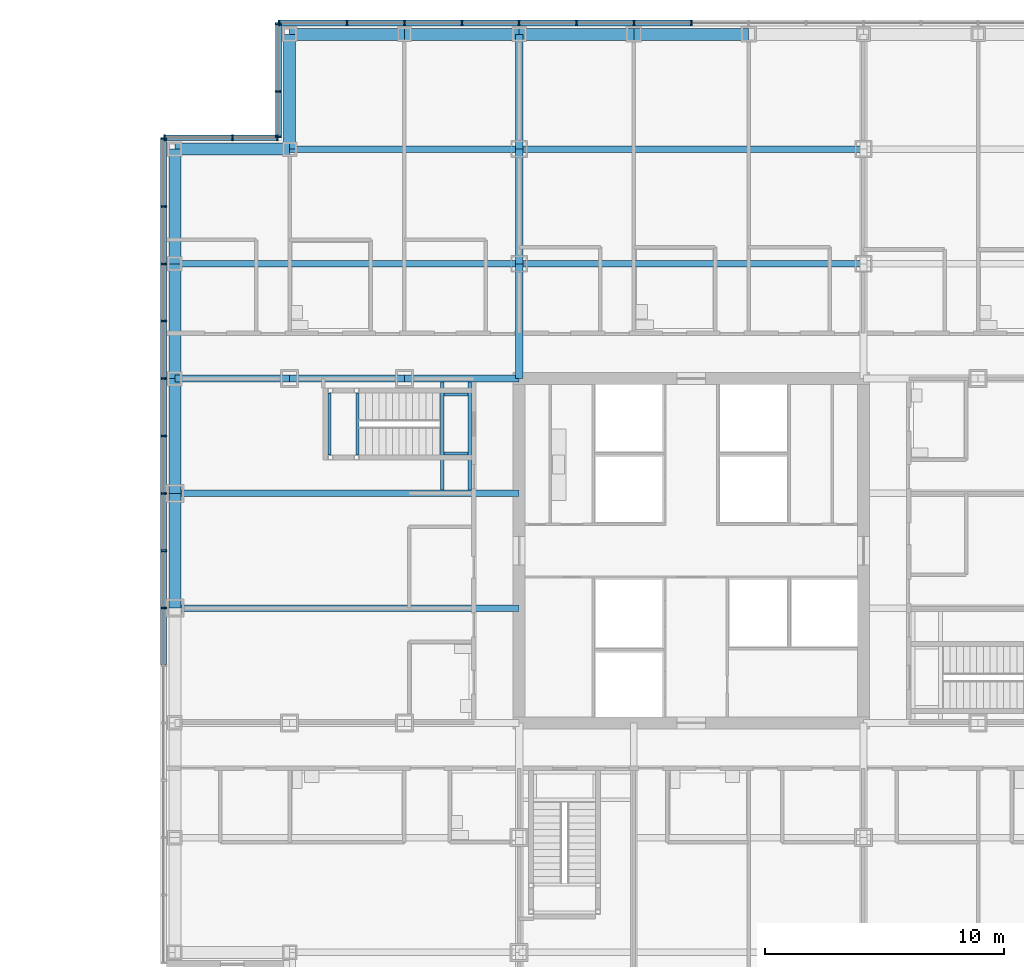
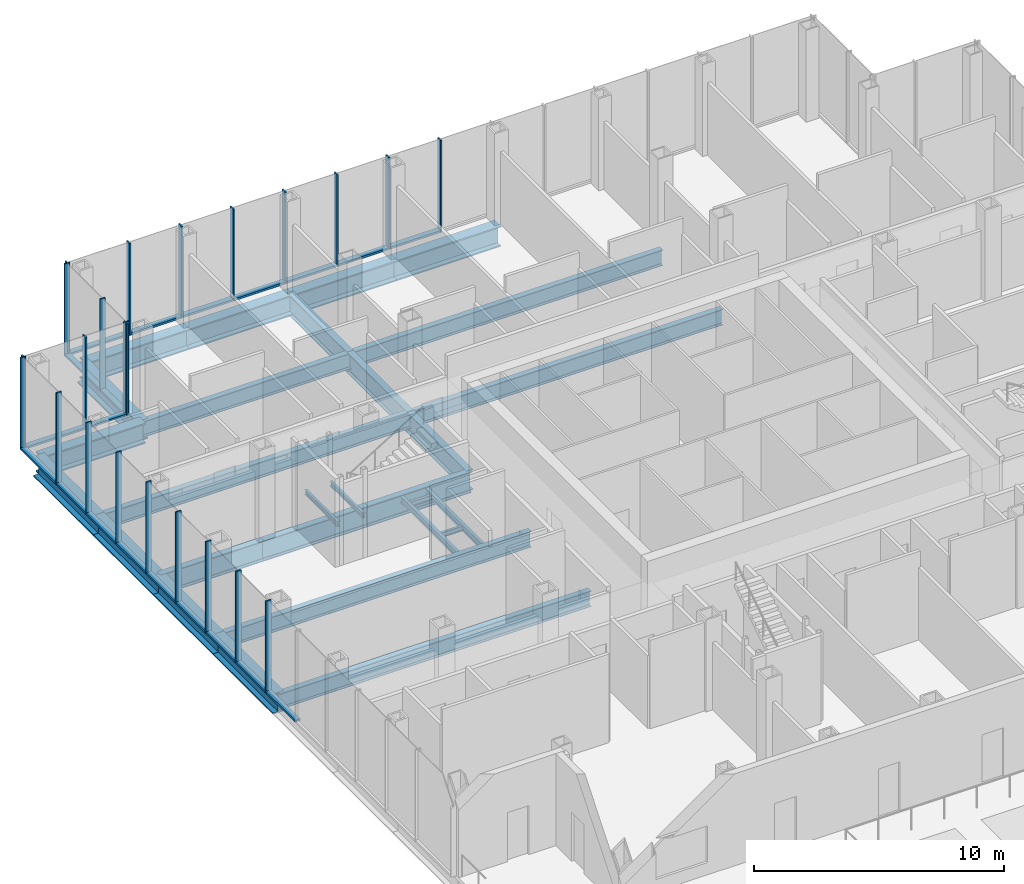
# One storey, part 12 of 24: 43 members, 28 beams, 4 elements without a shape of their own.
"""IFC4 building model written with IfcOpenShell, lengths in metres."""

from ifc_helpers import new_model, si_unit, direction, frame, origin, origin_2d, place, context, subcontext, project, spatial, rectangle, i_section, extrude, material, material_profile, profile_set, type_object, element, aggregate, save


model = new_model("IFC4")

# Units and contexts
model_context = context("Model", 3, precision=1e-05, world=origin(), true_north=direction((0.0, 1.0)))
body_context = subcontext(model_context, "Body", "Model", "MODEL_VIEW")
ifc_project = project(units=[si_unit("LENGTHUNIT", "METRE"), si_unit("AREAUNIT", "SQUARE_METRE"), si_unit("VOLUMEUNIT", "CUBIC_METRE"), si_unit("PLANEANGLEUNIT", "RADIAN"), si_unit("MASSUNIT", "GRAM", prefix="KILO")], contexts=[model_context])

# Site, building, storey
site_placement = place(None, origin())
site = spatial("IfcSite", under=ifc_project, at=site_placement, CompositionType="ELEMENT")
building_placement = place(site_placement, origin())
building = spatial("IfcBuilding", under=site, at=building_placement, Name="Kvirike Care Tower", CompositionType="ELEMENT")
storey_placement = place(building_placement, frame((0.0, 0.0, 22.5)))
storey = spatial("IfcBuildingStorey", under=building, at=storey_placement, Name="L05", CompositionType="ELEMENT", Elevation=22.5)

# Curtain wall, members
ifc_material_1 = material(Name="Anodised aluminium stick system", Category="aluminium")
curtain_wall_type = type_object("IfcCurtainWallType", Name="CW-P PODIUM STICK CURTAIN WALL", PredefinedType="NOTDEFINED", material=ifc_material_1)
curtain_wall_1_placement = place(storey_placement, origin())
curtain_wall_1 = element("IfcCurtainWall", 1, at=curtain_wall_1_placement, inside=storey, type_object=curtain_wall_type, Name="Curtain wall L05 face 1", PredefinedType="NOTDEFINED")
ifc_material_2 = material(Name="Bronze anodised aluminium mullion", Category="aluminium")
ifc_material_profile_1 = material_profile(ifc_material_2, rectangle(XDim=0.06494140625, YDim=0.25, at=origin_2d()), Name="CW-P MULLION 65x250")
ifc_profile_set_1 = profile_set([ifc_material_profile_1], Name="Bronze anodised aluminium mullion")
member_type_1 = type_object("IfcMemberType", Name="CW-P MULLION 65x250", PredefinedType="MULLION", material=ifc_profile_set_1)
member_1_placement = place(storey_placement, frame((-0.47509765625, 53.242431640625, 0.0), z_axis=(0.0, 0.0, 1.0), x_axis=(0.0, -1.0, 0.0)))
member_1 = element("IfcMember", 2, at=member_1_placement, type_object=member_type_1, Name="CW-P mullion L05 face 1.1", PredefinedType="MULLION", context=body_context, shape_type="SweptSolid", body=[
    extrude(rectangle(XDim=0.06494140625, YDim=0.25, at=origin_2d()), origin(), (0.0, 0.0, 1.0), 4.5),
])
member_2_placement = place(storey_placement, frame((-0.47509765625, 50.39990234375, 0.0), z_axis=(0.0, 0.0, 1.0), x_axis=(0.0, -1.0, 0.0)))
member_2 = element("IfcMember", 3, at=member_2_placement, type_object=member_type_1, Name="CW-P mullion L05 face 1.2", PredefinedType="MULLION", context=body_context, shape_type="SweptSolid", body=[
    extrude(rectangle(XDim=0.06494140625, YDim=0.25, at=origin_2d()), origin(), (0.0, 0.0, 1.0), 4.5),
])
member_3_placement = place(storey_placement, frame((-0.47509765625, 48.0, 0.0), z_axis=(0.0, 0.0, 1.0), x_axis=(0.0, -1.0, 0.0)))
member_3 = element("IfcMember", 4, at=member_3_placement, type_object=member_type_1, Name="CW-P mullion L05 face 1.3", PredefinedType="MULLION", context=body_context, shape_type="SweptSolid", body=[
    extrude(rectangle(XDim=0.06494140625, YDim=0.25, at=origin_2d()), origin(), (0.0, 0.0, 1.0), 4.5),
])
member_4_placement = place(storey_placement, frame((-0.47509765625, 45.60009765625, 0.0), z_axis=(0.0, 0.0, 1.0), x_axis=(0.0, -1.0, 0.0)))
member_4 = element("IfcMember", 5, at=member_4_placement, type_object=member_type_1, Name="CW-P mullion L05 face 1.4", PredefinedType="MULLION", context=body_context, shape_type="SweptSolid", body=[
    extrude(rectangle(XDim=0.06494140625, YDim=0.25, at=origin_2d()), origin(), (0.0, 0.0, 1.0), 4.5),
])
member_5_placement = place(storey_placement, frame((-0.47509765625, 43.199951171875, 0.0), z_axis=(0.0, 0.0, 1.0), x_axis=(0.0, -1.0, 0.0)))
member_5 = element("IfcMember", 6, at=member_5_placement, type_object=member_type_1, Name="CW-P mullion L05 face 1.5", PredefinedType="MULLION", context=body_context, shape_type="SweptSolid", body=[
    extrude(rectangle(XDim=0.06494140625, YDim=0.25, at=origin_2d()), origin(), (0.0, 0.0, 1.0), 4.5),
])
member_6_placement = place(storey_placement, frame((-0.47509765625, 40.800048828125, 0.0), z_axis=(0.0, 0.0, 1.0), x_axis=(0.0, -1.0, 0.0)))
member_6 = element("IfcMember", 7, at=member_6_placement, type_object=member_type_1, Name="CW-P mullion L05 face 1.6", PredefinedType="MULLION", context=body_context, shape_type="SweptSolid", body=[
    extrude(rectangle(XDim=0.06494140625, YDim=0.25, at=origin_2d()), origin(), (0.0, 0.0, 1.0), 4.5),
])
member_7_placement = place(storey_placement, frame((-0.47509765625, 38.39990234375, 0.0), z_axis=(0.0, 0.0, 1.0), x_axis=(0.0, -1.0, 0.0)))
member_7 = element("IfcMember", 8, at=member_7_placement, type_object=member_type_1, Name="CW-P mullion L05 face 1.7", PredefinedType="MULLION", context=body_context, shape_type="SweptSolid", body=[
    extrude(rectangle(XDim=0.06494140625, YDim=0.25, at=origin_2d()), origin(), (0.0, 0.0, 1.0), 4.5),
])
member_8_placement = place(storey_placement, frame((-0.47509765625, 36.0, 0.0), z_axis=(0.0, 0.0, 1.0), x_axis=(0.0, -1.0, 0.0)))
member_8 = element("IfcMember", 9, at=member_8_placement, type_object=member_type_1, Name="CW-P mullion L05 face 1.8", PredefinedType="MULLION", context=body_context, shape_type="SweptSolid", body=[
    extrude(rectangle(XDim=0.06494140625, YDim=0.25, at=origin_2d()), origin(), (0.0, 0.0, 1.0), 4.5),
])
member_9_placement = place(storey_placement, frame((-0.47509765625, 33.60009765625, 0.0), z_axis=(0.0, 0.0, 1.0), x_axis=(0.0, -1.0, 0.0)))
member_9 = element("IfcMember", 10, at=member_9_placement, type_object=member_type_1, Name="CW-P mullion L05 face 1.9", PredefinedType="MULLION", context=body_context, shape_type="SweptSolid", body=[
    extrude(rectangle(XDim=0.06494140625, YDim=0.25, at=origin_2d()), origin(), (0.0, 0.0, 1.0), 4.5),
])

curtain_wall_2_placement = place(storey_placement, origin())
curtain_wall_2 = element("IfcCurtainWall", 11, at=curtain_wall_2_placement, inside=storey, type_object=curtain_wall_type, Name="Curtain wall L05 face 10", PredefinedType="NOTDEFINED")
member_10_placement = place(storey_placement, frame((21.60009765625, 58.074951171875, 0.0), z_axis=(0.0, 0.0, 1.0), x_axis=(-1.0, 0.0, 0.0)))
member_10 = element("IfcMember", 12, at=member_10_placement, type_object=member_type_1, Name="CW-P mullion L05 face 10.8", PredefinedType="MULLION", context=body_context, shape_type="SweptSolid", body=[
    extrude(rectangle(XDim=0.06494140625, YDim=0.25, at=origin_2d()), origin(), (0.0, 0.0, 1.0), 4.5),
])
member_11_placement = place(storey_placement, frame((19.199951171875, 58.074951171875, 0.0), z_axis=(0.0, 0.0, 1.0), x_axis=(-1.0, 0.0, 0.0)))
member_11 = element("IfcMember", 13, at=member_11_placement, type_object=member_type_1, Name="CW-P mullion L05 face 10.9", PredefinedType="MULLION", context=body_context, shape_type="SweptSolid", body=[
    extrude(rectangle(XDim=0.06494140625, YDim=0.25, at=origin_2d()), origin(), (0.0, 0.0, 1.0), 4.5),
])
member_12_placement = place(storey_placement, frame((16.800048828125, 58.074951171875, 0.0), z_axis=(0.0, 0.0, 1.0), x_axis=(-1.0, 0.0, 0.0)))
member_12 = element("IfcMember", 14, at=member_12_placement, type_object=member_type_1, Name="CW-P mullion L05 face 10.10", PredefinedType="MULLION", context=body_context, shape_type="SweptSolid", body=[
    extrude(rectangle(XDim=0.06494140625, YDim=0.25, at=origin_2d()), origin(), (0.0, 0.0, 1.0), 4.5),
])
member_13_placement = place(storey_placement, frame((14.39990234375, 58.074951171875, 0.0), z_axis=(0.0, 0.0, 1.0), x_axis=(-1.0, 0.0, 0.0)))
member_13 = element("IfcMember", 15, at=member_13_placement, type_object=member_type_1, Name="CW-P mullion L05 face 10.11", PredefinedType="MULLION", context=body_context, shape_type="SweptSolid", body=[
    extrude(rectangle(XDim=0.06494140625, YDim=0.25, at=origin_2d()), origin(), (0.0, 0.0, 1.0), 4.5),
])
member_14_placement = place(storey_placement, frame((12.0, 58.074951171875, 0.0), z_axis=(0.0, 0.0, 1.0), x_axis=(-1.0, 0.0, 0.0)))
member_14 = element("IfcMember", 16, at=member_14_placement, type_object=member_type_1, Name="CW-P mullion L05 face 10.12", PredefinedType="MULLION", context=body_context, shape_type="SweptSolid", body=[
    extrude(rectangle(XDim=0.06494140625, YDim=0.25, at=origin_2d()), origin(), (0.0, 0.0, 1.0), 4.5),
])
member_15_placement = place(storey_placement, frame((9.60009765625, 58.074951171875, 0.0), z_axis=(0.0, 0.0, 1.0), x_axis=(-1.0, 0.0, 0.0)))
member_15 = element("IfcMember", 17, at=member_15_placement, type_object=member_type_1, Name="CW-P mullion L05 face 10.13", PredefinedType="MULLION", context=body_context, shape_type="SweptSolid", body=[
    extrude(rectangle(XDim=0.06494140625, YDim=0.25, at=origin_2d()), origin(), (0.0, 0.0, 1.0), 4.5),
])
member_16_placement = place(storey_placement, frame((7.199951171875, 58.074951171875, 0.0), z_axis=(0.0, 0.0, 1.0), x_axis=(-1.0, 0.0, 0.0)))
member_16 = element("IfcMember", 18, at=member_16_placement, type_object=member_type_1, Name="CW-P mullion L05 face 10.14", PredefinedType="MULLION", context=body_context, shape_type="SweptSolid", body=[
    extrude(rectangle(XDim=0.06494140625, YDim=0.25, at=origin_2d()), origin(), (0.0, 0.0, 1.0), 4.5),
])
member_17_placement = place(storey_placement, frame((4.357421875, 58.074951171875, 0.0), z_axis=(0.0, 0.0, 1.0), x_axis=(-1.0, 0.0, 0.0)))
member_17 = element("IfcMember", 19, at=member_17_placement, type_object=member_type_1, Name="CW-P mullion L05 face 10.15", PredefinedType="MULLION", context=body_context, shape_type="SweptSolid", body=[
    extrude(rectangle(XDim=0.06494140625, YDim=0.25, at=origin_2d()), origin(), (0.0, 0.0, 1.0), 4.5),
])

curtain_wall_3_placement = place(storey_placement, origin())
curtain_wall_3 = element("IfcCurtainWall", 20, at=curtain_wall_3_placement, inside=storey, type_object=curtain_wall_type, Name="Curtain wall L05 face 11", PredefinedType="NOTDEFINED")
member_18_placement = place(storey_placement, frame((4.324951171875, 58.04248046875, 0.0), z_axis=(0.0, 0.0, 1.0), x_axis=(0.0, -1.0, 0.0)))
member_18 = element("IfcMember", 21, at=member_18_placement, type_object=member_type_1, Name="CW-P mullion L05 face 11.1", PredefinedType="MULLION", context=body_context, shape_type="SweptSolid", body=[
    extrude(rectangle(XDim=0.06494140625, YDim=0.25, at=origin_2d()), origin(), (0.0, 0.0, 1.0), 4.5),
])
member_19_placement = place(storey_placement, frame((4.324951171875, 55.199951171875, 0.0), z_axis=(0.0, 0.0, 1.0), x_axis=(0.0, -1.0, 0.0)))
member_19 = element("IfcMember", 22, at=member_19_placement, type_object=member_type_1, Name="CW-P mullion L05 face 11.2", PredefinedType="MULLION", context=body_context, shape_type="SweptSolid", body=[
    extrude(rectangle(XDim=0.06494140625, YDim=0.25, at=origin_2d()), origin(), (0.0, 0.0, 1.0), 4.5),
])
member_20_placement = place(storey_placement, frame((4.324951171875, 53.3076171875, 0.0), z_axis=(0.0, 0.0, 1.0), x_axis=(0.0, -1.0, 0.0)))
member_20 = element("IfcMember", 23, at=member_20_placement, type_object=member_type_1, Name="CW-P mullion L05 face 11.3", PredefinedType="MULLION", context=body_context, shape_type="SweptSolid", body=[
    extrude(rectangle(XDim=0.06494140625, YDim=0.25, at=origin_2d()), origin(), (0.0, 0.0, 1.0), 4.5),
])

curtain_wall_4_placement = place(storey_placement, origin())
curtain_wall_4 = element("IfcCurtainWall", 24, at=curtain_wall_4_placement, inside=storey, type_object=curtain_wall_type, Name="Curtain wall L05 face 12", PredefinedType="NOTDEFINED")
member_21_placement = place(storey_placement, frame((4.29248046875, 53.27490234375, 0.0), z_axis=(0.0, 0.0, 1.0), x_axis=(-1.0, 0.0, 0.0)))
member_21 = element("IfcMember", 25, at=member_21_placement, type_object=member_type_1, Name="CW-P mullion L05 face 12.1", PredefinedType="MULLION", context=body_context, shape_type="SweptSolid", body=[
    extrude(rectangle(XDim=0.06494140625, YDim=0.25, at=origin_2d()), origin(), (0.0, 0.0, 1.0), 4.5),
])
member_22_placement = place(storey_placement, frame((2.39990234375, 53.27490234375, 0.0), z_axis=(0.0, 0.0, 1.0), x_axis=(-1.0, 0.0, 0.0)))
member_22 = element("IfcMember", 26, at=member_22_placement, type_object=member_type_1, Name="CW-P mullion L05 face 12.2", PredefinedType="MULLION", context=body_context, shape_type="SweptSolid", body=[
    extrude(rectangle(XDim=0.06494140625, YDim=0.25, at=origin_2d()), origin(), (0.0, 0.0, 1.0), 4.5),
])
member_23_placement = place(storey_placement, frame((-0.4423828125, 53.27490234375, 0.0), z_axis=(0.0, 0.0, 1.0), x_axis=(-1.0, 0.0, 0.0)))
member_23 = element("IfcMember", 27, at=member_23_placement, type_object=member_type_1, Name="CW-P mullion L05 face 12.3", PredefinedType="MULLION", context=body_context, shape_type="SweptSolid", body=[
    extrude(rectangle(XDim=0.06494140625, YDim=0.25, at=origin_2d()), origin(), (0.0, 0.0, 1.0), 4.5),
])

# Member
ifc_material_3 = material(Name="Bronze anodised aluminium transom", Category="aluminium")
ifc_material_profile_2 = material_profile(ifc_material_3, rectangle(XDim=0.25, YDim=0.10009765625, at=origin_2d()), Name="CW-P TRANSOM 250x100")
ifc_profile_set_2 = profile_set([ifc_material_profile_2], Name="Bronze anodised aluminium transom")
member_type_2 = type_object("IfcMemberType", Name="CW-P TRANSOM 250x100", PredefinedType="USERDEFINED", material=ifc_profile_set_2)
member_24_placement = place(storey_placement, frame((-0.47509765625, 53.2099609375, 0.050048828125), z_axis=(0.0, -1.0, 0.0), x_axis=(1.0, 0.0, 0.0)))
member_24 = element("IfcMember", 28, at=member_24_placement, type_object=member_type_2, Name="CW-P sill transom L05 face 1.1", ObjectType="TRANSOM", PredefinedType="USERDEFINED", context=body_context, shape_type="SweptSolid", body=[
    extrude(rectangle(XDim=0.25, YDim=0.10009765625, at=origin_2d()), origin(), (0.0, 0.0, 1.0), 2.77734375),
])

member_25_placement = place(storey_placement, frame((-0.47509765625, 50.367431640625, 0.050048828125), z_axis=(0.0, -1.0, 0.0), x_axis=(1.0, 0.0, 0.0)))
member_25 = element("IfcMember", 29, at=member_25_placement, type_object=member_type_2, Name="CW-P sill transom L05 face 1.2", ObjectType="TRANSOM", PredefinedType="USERDEFINED", context=body_context, shape_type="SweptSolid", body=[
    extrude(rectangle(XDim=0.25, YDim=0.10009765625, at=origin_2d()), origin(), (0.0, 0.0, 1.0), 2.3349609375),
])

member_26_placement = place(storey_placement, frame((-0.47509765625, 47.967529296875, 0.050048828125), z_axis=(0.0, -1.0, 0.0), x_axis=(1.0, 0.0, 0.0)))
member_26 = element("IfcMember", 30, at=member_26_placement, type_object=member_type_2, Name="CW-P sill transom L05 face 1.3", ObjectType="TRANSOM", PredefinedType="USERDEFINED", context=body_context, shape_type="SweptSolid", body=[
    extrude(rectangle(XDim=0.25, YDim=0.10009765625, at=origin_2d()), origin(), (0.0, 0.0, 1.0), 2.3349609375),
])

member_27_placement = place(storey_placement, frame((-0.47509765625, 45.5673828125, 0.050048828125), z_axis=(0.0, -1.0, 0.0), x_axis=(1.0, 0.0, 0.0)))
member_27 = element("IfcMember", 31, at=member_27_placement, type_object=member_type_2, Name="CW-P sill transom L05 face 1.4", ObjectType="TRANSOM", PredefinedType="USERDEFINED", context=body_context, shape_type="SweptSolid", body=[
    extrude(rectangle(XDim=0.25, YDim=0.10009765625, at=origin_2d()), origin(), (0.0, 0.0, 1.0), 2.3349609375),
])

member_28_placement = place(storey_placement, frame((-0.47509765625, 43.16748046875, 0.050048828125), z_axis=(0.0, -1.0, 0.0), x_axis=(1.0, 0.0, 0.0)))
member_28 = element("IfcMember", 32, at=member_28_placement, type_object=member_type_2, Name="CW-P sill transom L05 face 1.5", ObjectType="TRANSOM", PredefinedType="USERDEFINED", context=body_context, shape_type="SweptSolid", body=[
    extrude(rectangle(XDim=0.25, YDim=0.10009765625, at=origin_2d()), origin(), (0.0, 0.0, 1.0), 2.3349609375),
])

member_29_placement = place(storey_placement, frame((-0.47509765625, 40.767578125, 0.050048828125), z_axis=(0.0, -1.0, 0.0), x_axis=(1.0, 0.0, 0.0)))
member_29 = element("IfcMember", 33, at=member_29_placement, type_object=member_type_2, Name="CW-P sill transom L05 face 1.6", ObjectType="TRANSOM", PredefinedType="USERDEFINED", context=body_context, shape_type="SweptSolid", body=[
    extrude(rectangle(XDim=0.25, YDim=0.10009765625, at=origin_2d()), origin(), (0.0, 0.0, 1.0), 2.3349609375),
])

member_30_placement = place(storey_placement, frame((-0.47509765625, 38.367431640625, 0.050048828125), z_axis=(0.0, -1.0, 0.0), x_axis=(1.0, 0.0, 0.0)))
member_30 = element("IfcMember", 34, at=member_30_placement, type_object=member_type_2, Name="CW-P sill transom L05 face 1.7", ObjectType="TRANSOM", PredefinedType="USERDEFINED", context=body_context, shape_type="SweptSolid", body=[
    extrude(rectangle(XDim=0.25, YDim=0.10009765625, at=origin_2d()), origin(), (0.0, 0.0, 1.0), 2.3349609375),
])

member_31_placement = place(storey_placement, frame((-0.47509765625, 35.967529296875, 0.050048828125), z_axis=(0.0, -1.0, 0.0), x_axis=(1.0, 0.0, 0.0)))
member_31 = element("IfcMember", 35, at=member_31_placement, type_object=member_type_2, Name="CW-P sill transom L05 face 1.8", ObjectType="TRANSOM", PredefinedType="USERDEFINED", context=body_context, shape_type="SweptSolid", body=[
    extrude(rectangle(XDim=0.25, YDim=0.10009765625, at=origin_2d()), origin(), (0.0, 0.0, 1.0), 2.3349609375),
])

member_32_placement = place(storey_placement, frame((-0.47509765625, 33.5673828125, 0.050048828125), z_axis=(0.0, -1.0, 0.0), x_axis=(1.0, 0.0, 0.0)))
member_32 = element("IfcMember", 36, at=member_32_placement, type_object=member_type_2, Name="CW-P sill transom L05 face 1.9", ObjectType="TRANSOM", PredefinedType="USERDEFINED", context=body_context, shape_type="SweptSolid", body=[
    extrude(rectangle(XDim=0.25, YDim=0.10009765625, at=origin_2d()), origin(), (0.0, 0.0, 1.0), 2.3349609375),
])

aggregate(curtain_wall_1, [member_1, member_2, member_3, member_4, member_5, member_6, member_7, member_8, member_9, member_24, member_25, member_26, member_27, member_28, member_29, member_30, member_31, member_32])

member_33_placement = place(storey_placement, frame((21.5673828125, 58.074951171875, 0.050048828125), z_axis=(-1.0, 0.0, 0.0), x_axis=(0.0, -1.0, 0.0)))
member_33 = element("IfcMember", 37, at=member_33_placement, type_object=member_type_2, Name="CW-P sill transom L05 face 10.8", ObjectType="TRANSOM", PredefinedType="USERDEFINED", context=body_context, shape_type="SweptSolid", body=[
    extrude(rectangle(XDim=0.25, YDim=0.10009765625, at=origin_2d()), origin(), (0.0, 0.0, 1.0), 2.3349609375),
])

member_34_placement = place(storey_placement, frame((19.16748046875, 58.074951171875, 0.050048828125), z_axis=(-1.0, 0.0, 0.0), x_axis=(0.0, -1.0, 0.0)))
member_34 = element("IfcMember", 38, at=member_34_placement, type_object=member_type_2, Name="CW-P sill transom L05 face 10.9", ObjectType="TRANSOM", PredefinedType="USERDEFINED", context=body_context, shape_type="SweptSolid", body=[
    extrude(rectangle(XDim=0.25, YDim=0.10009765625, at=origin_2d()), origin(), (0.0, 0.0, 1.0), 2.3349609375),
])

member_35_placement = place(storey_placement, frame((16.767578125, 58.074951171875, 0.050048828125), z_axis=(-1.0, 0.0, 0.0), x_axis=(0.0, -1.0, 0.0)))
member_35 = element("IfcMember", 39, at=member_35_placement, type_object=member_type_2, Name="CW-P sill transom L05 face 10.10", ObjectType="TRANSOM", PredefinedType="USERDEFINED", context=body_context, shape_type="SweptSolid", body=[
    extrude(rectangle(XDim=0.25, YDim=0.10009765625, at=origin_2d()), origin(), (0.0, 0.0, 1.0), 2.3349609375),
])

member_36_placement = place(storey_placement, frame((14.367431640625, 58.074951171875, 0.050048828125), z_axis=(-1.0, 0.0, 0.0), x_axis=(0.0, -1.0, 0.0)))
member_36 = element("IfcMember", 40, at=member_36_placement, type_object=member_type_2, Name="CW-P sill transom L05 face 10.11", ObjectType="TRANSOM", PredefinedType="USERDEFINED", context=body_context, shape_type="SweptSolid", body=[
    extrude(rectangle(XDim=0.25, YDim=0.10009765625, at=origin_2d()), origin(), (0.0, 0.0, 1.0), 2.3349609375),
])

member_37_placement = place(storey_placement, frame((11.967529296875, 58.074951171875, 0.050048828125), z_axis=(-1.0, 0.0, 0.0), x_axis=(0.0, -1.0, 0.0)))
member_37 = element("IfcMember", 41, at=member_37_placement, type_object=member_type_2, Name="CW-P sill transom L05 face 10.12", ObjectType="TRANSOM", PredefinedType="USERDEFINED", context=body_context, shape_type="SweptSolid", body=[
    extrude(rectangle(XDim=0.25, YDim=0.10009765625, at=origin_2d()), origin(), (0.0, 0.0, 1.0), 2.3349609375),
])

member_38_placement = place(storey_placement, frame((9.5673828125, 58.074951171875, 0.050048828125), z_axis=(-1.0, 0.0, 0.0), x_axis=(0.0, -1.0, 0.0)))
member_38 = element("IfcMember", 42, at=member_38_placement, type_object=member_type_2, Name="CW-P sill transom L05 face 10.13", ObjectType="TRANSOM", PredefinedType="USERDEFINED", context=body_context, shape_type="SweptSolid", body=[
    extrude(rectangle(XDim=0.25, YDim=0.10009765625, at=origin_2d()), origin(), (0.0, 0.0, 1.0), 2.3349609375),
])

member_39_placement = place(storey_placement, frame((7.16748046875, 58.074951171875, 0.050048828125), z_axis=(-1.0, 0.0, 0.0), x_axis=(0.0, -1.0, 0.0)))
member_39 = element("IfcMember", 43, at=member_39_placement, type_object=member_type_2, Name="CW-P sill transom L05 face 10.14", ObjectType="TRANSOM", PredefinedType="USERDEFINED", context=body_context, shape_type="SweptSolid", body=[
    extrude(rectangle(XDim=0.25, YDim=0.10009765625, at=origin_2d()), origin(), (0.0, 0.0, 1.0), 2.777587890625),
])

aggregate(curtain_wall_2, [member_10, member_11, member_12, member_13, member_14, member_15, member_16, member_17, member_33, member_34, member_35, member_36, member_37, member_38, member_39])

member_40_placement = place(storey_placement, frame((4.324951171875, 58.010009765625, 0.050048828125), z_axis=(0.0, -1.0, 0.0), x_axis=(1.0, 0.0, 0.0)))
member_40 = element("IfcMember", 44, at=member_40_placement, type_object=member_type_2, Name="CW-P sill transom L05 face 11.1", ObjectType="TRANSOM", PredefinedType="USERDEFINED", context=body_context, shape_type="SweptSolid", body=[
    extrude(rectangle(XDim=0.25, YDim=0.10009765625, at=origin_2d()), origin(), (0.0, 0.0, 1.0), 2.777587890625),
])

member_41_placement = place(storey_placement, frame((4.324951171875, 55.16748046875, 0.050048828125), z_axis=(0.0, -1.0, 0.0), x_axis=(1.0, 0.0, 0.0)))
member_41 = element("IfcMember", 45, at=member_41_placement, type_object=member_type_2, Name="CW-P sill transom L05 face 11.2", ObjectType="TRANSOM", PredefinedType="USERDEFINED", context=body_context, shape_type="SweptSolid", body=[
    extrude(rectangle(XDim=0.25, YDim=0.10009765625, at=origin_2d()), origin(), (0.0, 0.0, 1.0), 1.827392578125),
])

aggregate(curtain_wall_3, [member_18, member_19, member_20, member_40, member_41])

member_42_placement = place(storey_placement, frame((4.260009765625, 53.27490234375, 0.050048828125), z_axis=(-1.0, 0.0, 0.0), x_axis=(0.0, -1.0, 0.0)))
member_42 = element("IfcMember", 46, at=member_42_placement, type_object=member_type_2, Name="CW-P sill transom L05 face 12.1", ObjectType="TRANSOM", PredefinedType="USERDEFINED", context=body_context, shape_type="SweptSolid", body=[
    extrude(rectangle(XDim=0.25, YDim=0.10009765625, at=origin_2d()), origin(), (0.0, 0.0, 1.0), 1.827392578125),
])

member_43_placement = place(storey_placement, frame((2.367431640625, 53.27490234375, 0.050048828125), z_axis=(-1.0, 0.0, 0.0), x_axis=(0.0, -1.0, 0.0)))
member_43 = element("IfcMember", 47, at=member_43_placement, type_object=member_type_2, Name="CW-P sill transom L05 face 12.2", ObjectType="TRANSOM", PredefinedType="USERDEFINED", context=body_context, shape_type="SweptSolid", body=[
    extrude(rectangle(XDim=0.25, YDim=0.10009765625, at=origin_2d()), origin(), (0.0, 0.0, 1.0), 2.77734375),
])

aggregate(curtain_wall_4, [member_21, member_22, member_23, member_42, member_43])

# Beams
ifc_material_4 = material(Name="Steel S355", Category="steel")
ifc_material_profile_3 = material_profile(ifc_material_4, i_section(OverallWidth=0.26806640625, OverallDepth=0.77001953125, WebThickness=0.015625, FlangeThickness=0.025390625, FilletRadius=0.01708984375, at=origin_2d()), Name="IPE 750x196")
ifc_profile_set_3 = profile_set([ifc_material_profile_3], Name="Steel S355")
beam_type_1 = type_object("IfcBeamType", Name="FLOOR BEAM IPE 750x196", PredefinedType="BEAM", material=ifc_profile_set_3)
for number, where, z_axis, x_axis, name in (
    (48, (0.0, 33.60009765625, -0.554931640625), (1.0, 0.0, 0.0), (0.0, 1.0, 0.0), "Floor Beam H3-H6 L05"),
    (49, (0.0, 38.39990234375, -0.554931640625), (1.0, 0.0, 0.0), (0.0, 1.0, 0.0), "Floor Beam J3-J6 L05"),
    (50, (0.0, 48.0, -0.554931640625), (1.0, 0.0, 0.0), (0.0, 1.0, 0.0), "Floor Beam L3-L6 L05"),
):
    element("IfcBeam", number, at=place(storey_placement, frame(where, z_axis=z_axis, x_axis=x_axis)), inside=storey, type_object=beam_type_1, Name=name, PredefinedType="BEAM", context=body_context, shape_type="SweptSolid", body=[
        extrude(i_section(OverallWidth=0.26806640625, OverallDepth=0.77001953125, WebThickness=0.015625, FlangeThickness=0.025390625, FilletRadius=0.01708984375, at=origin_2d()), origin(), (0.0, 0.0, 1.0), 14.39990234375),
    ])
beam_1_placement = place(storey_placement, frame((14.39990234375, 48.0, -0.554931640625), z_axis=(1.0, 0.0, 0.0), x_axis=(0.0, 1.0, 0.0)))
element("IfcBeam", 51, at=beam_1_placement, inside=storey, type_object=beam_type_1, Name="Floor Beam L6-L9 L05", PredefinedType="BEAM", context=body_context, shape_type="SweptSolid", body=[
    extrude(i_section(OverallWidth=0.26806640625, OverallDepth=0.77001953125, WebThickness=0.015625, FlangeThickness=0.025390625, FilletRadius=0.01708984375, at=origin_2d()), origin(), (0.0, 0.0, 1.0), 14.400146484375),
])
beam_2_placement = place(storey_placement, frame((4.800048828125, 52.800048828125, -0.554931640625), z_axis=(1.0, 0.0, 0.0), x_axis=(0.0, 1.0, 0.0)))
element("IfcBeam", 52, at=beam_2_placement, inside=storey, type_object=beam_type_1, Name="Floor Beam M4-M6 L05", PredefinedType="BEAM", context=body_context, shape_type="SweptSolid", body=[
    extrude(i_section(OverallWidth=0.26806640625, OverallDepth=0.77001953125, WebThickness=0.015625, FlangeThickness=0.025390625, FilletRadius=0.01708984375, at=origin_2d()), origin(), (0.0, 0.0, 1.0), 9.599853515625),
])
beam_3_placement = place(storey_placement, frame((14.39990234375, 52.800048828125, -0.554931640625), z_axis=(1.0, 0.0, 0.0), x_axis=(0.0, 1.0, 0.0)))
element("IfcBeam", 53, at=beam_3_placement, inside=storey, type_object=beam_type_1, Name="Floor Beam M6-M9 L05", PredefinedType="BEAM", context=body_context, shape_type="SweptSolid", body=[
    extrude(i_section(OverallWidth=0.26806640625, OverallDepth=0.77001953125, WebThickness=0.015625, FlangeThickness=0.025390625, FilletRadius=0.01708984375, at=origin_2d()), origin(), (0.0, 0.0, 1.0), 14.400146484375),
])
ifc_material_5 = material(Name="Steel S355", Category="steel")
ifc_material_profile_4 = material_profile(ifc_material_5, i_section(OverallWidth=0.300048828125, OverallDepth=1.0, WebThickness=0.01904296875, FlangeThickness=0.035888671875, FilletRadius=0.030029296875, at=origin_2d()), Name="HE 1000 B")
ifc_profile_set_4 = profile_set([ifc_material_profile_4], Name="Steel S355")
beam_type_2 = type_object("IfcBeamType", Name="FRAME BEAM HE 1000 B", PredefinedType="BEAM", material=ifc_profile_set_4)
for number, where, z_axis, x_axis, name in (
    (54, (0.0, 43.199951171875, -0.669921875), (1.0, 0.0, 0.0), (0.0, 1.0, 0.0), "Frame Beam K3-K4 L05"),
    (55, (4.800048828125, 43.199951171875, -0.669921875), (1.0, 0.0, 0.0), (0.0, 1.0, 0.0), "Frame Beam K4-K5 L05"),
):
    element("IfcBeam", number, at=place(storey_placement, frame(where, z_axis=z_axis, x_axis=x_axis)), inside=storey, type_object=beam_type_2, Name=name, PredefinedType="BEAM", context=body_context, shape_type="SweptSolid", body=[
        extrude(i_section(OverallWidth=0.300048828125, OverallDepth=1.0, WebThickness=0.01904296875, FlangeThickness=0.035888671875, FilletRadius=0.030029296875, at=origin_2d()), origin(), (0.0, 0.0, 1.0), 4.800048828125),
    ])
beam_4_placement = place(storey_placement, frame((9.60009765625, 43.199951171875, -0.669921875), z_axis=(1.0, 0.0, 0.0), x_axis=(0.0, 1.0, 0.0)))
element("IfcBeam", 56, at=beam_4_placement, inside=storey, type_object=beam_type_2, Name="Frame Beam K5-K6 L05", PredefinedType="BEAM", context=body_context, shape_type="SweptSolid", body=[
    extrude(i_section(OverallWidth=0.300048828125, OverallDepth=1.0, WebThickness=0.01904296875, FlangeThickness=0.035888671875, FilletRadius=0.030029296875, at=origin_2d()), origin(), (0.0, 0.0, 1.0), 4.7998046875),
])
for number, where, z_axis, x_axis, name in (
    (57, (14.39990234375, 43.199951171875, -0.669921875), (0.0, 1.0, 0.0), (-1.0, 0.0, 0.0), "Frame Beam K6-L6 L05"),
    (58, (14.39990234375, 48.0, -0.669921875), (0.0, 1.0, 0.0), (-1.0, 0.0, 0.0), "Frame Beam L6-M6 L05"),
    (59, (14.39990234375, 52.800048828125, -0.669921875), (0.0, 1.0, 0.0), (-1.0, 0.0, 0.0), "Frame Beam M6-N6 L05"),
):
    element("IfcBeam", number, at=place(storey_placement, frame(where, z_axis=z_axis, x_axis=x_axis)), inside=storey, type_object=beam_type_2, Name=name, PredefinedType="BEAM", context=body_context, shape_type="SweptSolid", body=[
        extrude(i_section(OverallWidth=0.300048828125, OverallDepth=1.0, WebThickness=0.01904296875, FlangeThickness=0.035888671875, FilletRadius=0.030029296875, at=origin_2d()), origin(), (0.0, 0.0, 1.0), 4.800048828125),
    ])
ifc_material_6 = material(Name="Steel S355", Category="steel")
ifc_material_profile_5 = material_profile(ifc_material_6, i_section(OverallWidth=0.5, OverallDepth=1.0, WebThickness=0.030029296875, FlangeThickness=0.06005859375, at=origin_2d()), Name="PG 1000x500x30x60")
ifc_profile_set_5 = profile_set([ifc_material_profile_5], Name="Steel S355")
beam_type_3 = type_object("IfcBeamType", Name="SPANDREL PG 1000x500x30x60", PredefinedType="SPANDREL", material=ifc_profile_set_5)
for number, where, z_axis, x_axis, name in (
    (60, (0.0, 52.800048828125, -0.669921875), (1.0, 0.0, 0.0), (0.0, 1.0, 0.0), "Spandrel M3-M4 L05"),
    (61, (4.800048828125, 57.60009765625, -0.669921875), (1.0, 0.0, 0.0), (0.0, 1.0, 0.0), "Spandrel N4-N5 L05"),
):
    element("IfcBeam", number, at=place(storey_placement, frame(where, z_axis=z_axis, x_axis=x_axis)), inside=storey, type_object=beam_type_3, Name=name, PredefinedType="SPANDREL", context=body_context, shape_type="SweptSolid", body=[
        extrude(i_section(OverallWidth=0.5, OverallDepth=1.0, WebThickness=0.030029296875, FlangeThickness=0.06005859375, at=origin_2d()), origin(), (0.0, 0.0, 1.0), 4.800048828125),
    ])
beam_5_placement = place(storey_placement, frame((9.60009765625, 57.60009765625, -0.669921875), z_axis=(1.0, 0.0, 0.0), x_axis=(0.0, 1.0, 0.0)))
element("IfcBeam", 62, at=beam_5_placement, inside=storey, type_object=beam_type_3, Name="Spandrel N5-N6 L05", PredefinedType="SPANDREL", context=body_context, shape_type="SweptSolid", body=[
    extrude(i_section(OverallWidth=0.5, OverallDepth=1.0, WebThickness=0.030029296875, FlangeThickness=0.06005859375, at=origin_2d()), origin(), (0.0, 0.0, 1.0), 4.7998046875),
])
for number, where, z_axis, x_axis, name in (
    (63, (14.39990234375, 57.60009765625, -0.669921875), (1.0, 0.0, 0.0), (0.0, 1.0, 0.0), "Spandrel N6-N7 L05"),
    (64, (19.199951171875, 57.60009765625, -0.669921875), (1.0, 0.0, 0.0), (0.0, 1.0, 0.0), "Spandrel N7-N8 L05"),
):
    element("IfcBeam", number, at=place(storey_placement, frame(where, z_axis=z_axis, x_axis=x_axis)), inside=storey, type_object=beam_type_3, Name=name, PredefinedType="SPANDREL", context=body_context, shape_type="SweptSolid", body=[
        extrude(i_section(OverallWidth=0.5, OverallDepth=1.0, WebThickness=0.030029296875, FlangeThickness=0.06005859375, at=origin_2d()), origin(), (0.0, 0.0, 1.0), 4.800048828125),
    ])
beam_6_placement = place(storey_placement, frame((0.0, 33.60009765625, -0.669921875), z_axis=(0.0, 1.0, 0.0), x_axis=(-1.0, 0.0, 0.0)))
element("IfcBeam", 65, at=beam_6_placement, inside=storey, type_object=beam_type_3, Name="Spandrel H3-J3 L05", PredefinedType="SPANDREL", context=body_context, shape_type="SweptSolid", body=[
    extrude(i_section(OverallWidth=0.5, OverallDepth=1.0, WebThickness=0.030029296875, FlangeThickness=0.06005859375, at=origin_2d()), origin(), (0.0, 0.0, 1.0), 4.7998046875),
])
for number, where, z_axis, x_axis, name in (
    (66, (0.0, 38.39990234375, -0.669921875), (0.0, 1.0, 0.0), (-1.0, 0.0, 0.0), "Spandrel J3-K3 L05"),
    (67, (0.0, 43.199951171875, -0.669921875), (0.0, 1.0, 0.0), (-1.0, 0.0, 0.0), "Spandrel K3-L3 L05"),
    (68, (0.0, 48.0, -0.669921875), (0.0, 1.0, 0.0), (-1.0, 0.0, 0.0), "Spandrel L3-M3 L05"),
    (69, (4.800048828125, 52.800048828125, -0.669921875), (0.0, 1.0, 0.0), (-1.0, 0.0, 0.0), "Spandrel M4-N4 L05"),
):
    element("IfcBeam", number, at=place(storey_placement, frame(where, z_axis=z_axis, x_axis=x_axis)), inside=storey, type_object=beam_type_3, Name=name, PredefinedType="SPANDREL", context=body_context, shape_type="SweptSolid", body=[
        extrude(i_section(OverallWidth=0.5, OverallDepth=1.0, WebThickness=0.030029296875, FlangeThickness=0.06005859375, at=origin_2d()), origin(), (0.0, 0.0, 1.0), 4.800048828125),
    ])
ifc_material_7 = material(Name="Steel S355", Category="steel")
ifc_material_profile_6 = material_profile(ifc_material_7, i_section(OverallWidth=0.1201171875, OverallDepth=0.239990234375, WebThickness=0.006103515625, FlangeThickness=0.009765625, FilletRadius=0.014892578125, at=origin_2d()), Name="IPE 240")
ifc_profile_set_6 = profile_set([ifc_material_profile_6], Name="Steel S355")
beam_type_4 = type_object("IfcBeamType", Name="STAIR LANDING BEAM IPE 240", PredefinedType="BEAM", material=ifc_profile_set_6)
for number, where, z_axis, x_axis, name in (
    (70, (6.4599609375, 42.60009765625, 1.929931640625), (0.0, -1.0, 0.0), (1.0, 0.0, 0.0), "Stair 1 landing beam back L05"),
    (71, (7.639892578125, 42.60009765625, 1.929931640625), (0.0, -1.0, 0.0), (1.0, 0.0, 0.0), "Stair 1 landing beam front L05"),
):
    element("IfcBeam", number, at=place(storey_placement, frame(where, z_axis=z_axis, x_axis=x_axis)), inside=storey, type_object=beam_type_4, Name=name, PredefinedType="BEAM", context=body_context, shape_type="SweptSolid", body=[
        extrude(i_section(OverallWidth=0.1201171875, OverallDepth=0.239990234375, WebThickness=0.006103515625, FlangeThickness=0.009765625, FilletRadius=0.014892578125, at=origin_2d()), origin(), (0.0, 0.0, 1.0), 2.60009765625),
    ])
for number, where, z_axis, x_axis, name in (
    (72, (11.25, 42.5400390625, -0.320068359375), (1.0, 0.0, 0.0), (0.0, 1.0, 0.0), "Stair 1 landing edge beam 1 L05"),
    (73, (11.25, 40.06005859375, -0.320068359375), (1.0, 0.0, 0.0), (0.0, 1.0, 0.0), "Stair 1 landing edge beam 2 L05"),
):
    element("IfcBeam", number, at=place(storey_placement, frame(where, z_axis=z_axis, x_axis=x_axis)), inside=storey, type_object=beam_type_4, Name=name, PredefinedType="BEAM", context=body_context, shape_type="SweptSolid", body=[
        extrude(i_section(OverallWidth=0.1201171875, OverallDepth=0.239990234375, WebThickness=0.006103515625, FlangeThickness=0.009765625, FilletRadius=0.014892578125, at=origin_2d()), origin(), (0.0, 0.0, 1.0), 1.0),
    ])
ifc_material_8 = material(Name="Steel S355", Category="steel")
ifc_material_profile_7 = material_profile(ifc_material_8, i_section(OverallWidth=0.14990234375, OverallDepth=0.300048828125, WebThickness=0.007080078125, FlangeThickness=0.0107421875, FilletRadius=0.014892578125, at=origin_2d()), Name="IPE 300")
ifc_profile_set_7 = profile_set([ifc_material_profile_7], Name="Steel S355")
beam_type_5 = type_object("IfcBeamType", Name="STAIR TRIMMER IPE 300", PredefinedType="BEAM", material=ifc_profile_set_7)
for number, where, z_axis, x_axis, name in (
    (74, (11.175048828125, 43.050048828125, -0.35009765625), (0.0, -1.0, 0.0), (1.0, 0.0, 0.0), "Stair 1 trimmer 1 L05"),
    (75, (12.324951171875, 43.050048828125, -0.35009765625), (0.0, -1.0, 0.0), (1.0, 0.0, 0.0), "Stair 1 trimmer 2 L05"),
):
    element("IfcBeam", number, at=place(storey_placement, frame(where, z_axis=z_axis, x_axis=x_axis)), inside=storey, type_object=beam_type_5, Name=name, PredefinedType="BEAM", context=body_context, shape_type="SweptSolid", body=[
        extrude(i_section(OverallWidth=0.14990234375, OverallDepth=0.300048828125, WebThickness=0.007080078125, FlangeThickness=0.0107421875, FilletRadius=0.014892578125, at=origin_2d()), origin(), (0.0, 0.0, 1.0), 4.51611328125),
    ])

save(model, "model.ifc")
